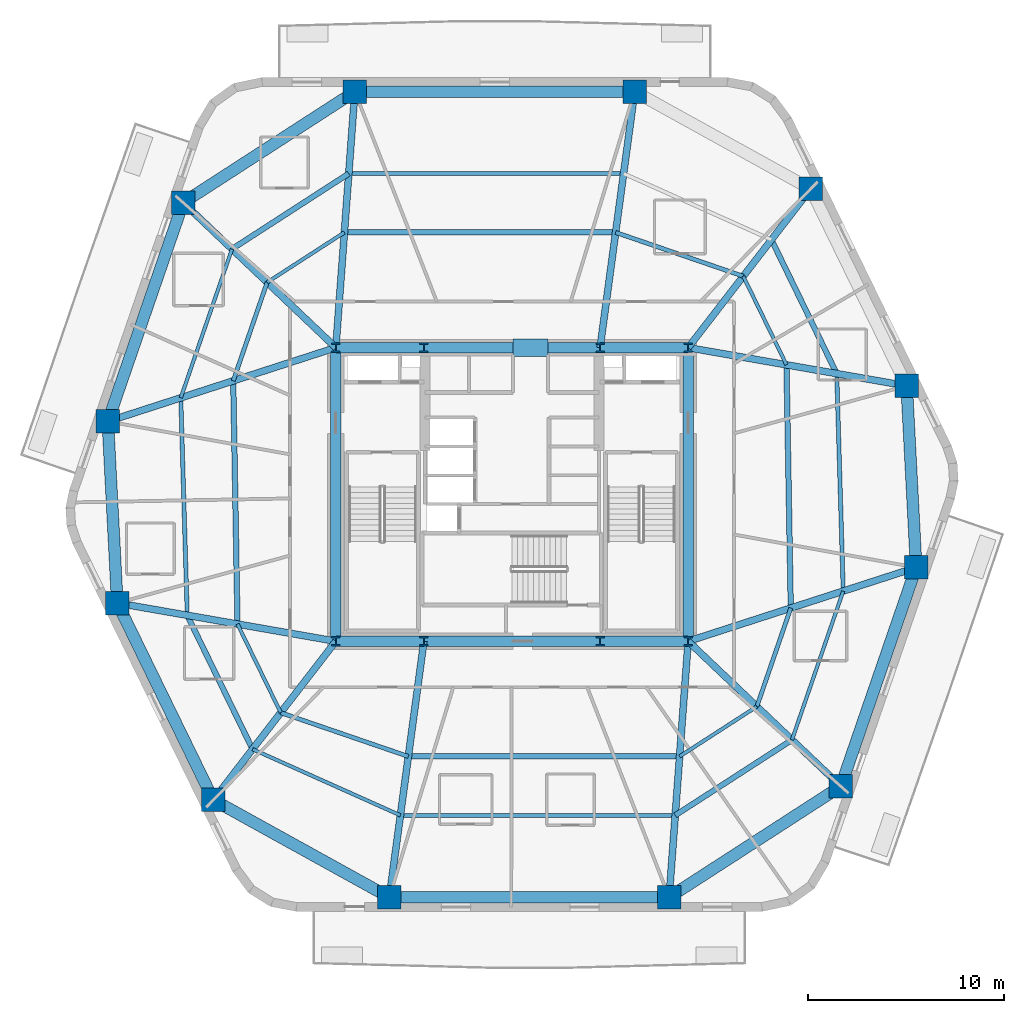
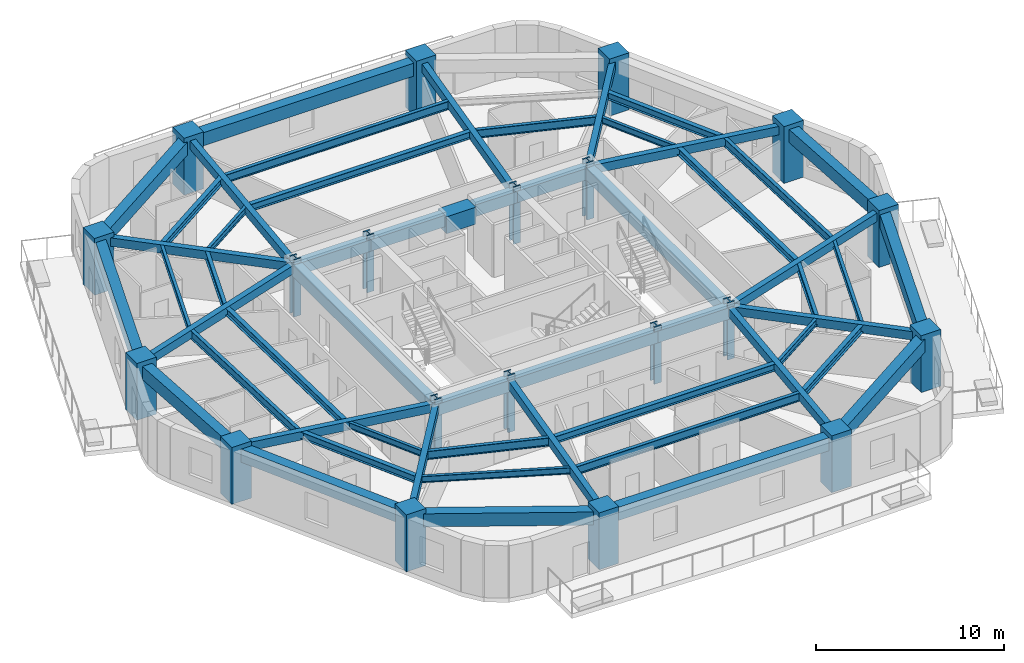
# One storey, part 1 of 8: 54 beams, 20 columns.
"""IFC4 building model written with IfcOpenShell, lengths in metres."""

import ifcopenshell
import ifcopenshell.guid

model = None  # the IFC model being written
_history = None  # IfcOwnerHistory: only IFC2X3 demands one
_inside = {}  # id of a spatial element -> (the spatial element, [elements in it])
_under = {}  # id of a project, library or spatial element -> (it, [spatial elements below it])
_declared = {}  # id of a project -> (the project, [libraries it declares])
_typed = {}  # id of a type object -> (the type object, [elements of that type])
_made_of = {}  # id of a material, layer set ... -> (it, [elements and type objects made of it])


def new_model(schema):
    """Start an empty IFC model of exactly this schema.

    Asked for "IFC4X3", IfcOpenShell would pick the latest addendum, in which some entities
    have other attributes; the version numbers below select the first issue.
    IFC2X3 requires an IfcOwnerHistory on every rooted entity: one is made here for all.
    """
    global model, _history
    if schema == "IFC4X3":
        model = ifcopenshell.file(schema_version=(4, 3, 0, 0))
    else:
        model = ifcopenshell.file(schema=schema)
    _inside.clear()
    _under.clear()
    _declared.clear()
    _typed.clear()
    _made_of.clear()
    _history = None
    if model.schema == "IFC2X3":
        org = make("IfcOrganization", Name="unknown")
        user = make(
            "IfcPersonAndOrganization",
            ThePerson=make("IfcPerson", FamilyName="unknown"),
            TheOrganization=org,
        )
        app = make(
            "IfcApplication",
            ApplicationDeveloper=org,
            Version="unknown",
            ApplicationFullName="unknown",
            ApplicationIdentifier="unknown",
        )
        _history = make(
            "IfcOwnerHistory",
            OwningUser=user,
            OwningApplication=app,
            ChangeAction="ADDED",
            CreationDate=0,
        )
    return model


def make(cls, **values):
    """One entity of the class cls with the attributes given. An attribute that is None is left unset."""
    return model.create_entity(
        cls, **{name: value for name, value in values.items() if value is not None}
    )


def rooted(cls, **values):
    """An entity with a GlobalId (a new one), such as an element, a storey or a relation."""
    return make(cls, GlobalId=ifcopenshell.guid.new(), OwnerHistory=_history, **values)


def si_unit(unit_type, name, prefix=None):
    """IfcSIUnit, for example si_unit("LENGTHUNIT", "METRE", prefix="MILLI")."""
    return make("IfcSIUnit", UnitType=unit_type, Prefix=prefix, Name=name)


def assignment(units):
    """IfcUnitAssignment: the units of a project."""
    return None if units is None else make("IfcUnitAssignment", Units=units)


def point(xyz):
    """IfcCartesianPoint."""
    return None if xyz is None else make("IfcCartesianPoint", Coordinates=xyz)


def direction(xyz):
    """IfcDirection."""
    return None if xyz is None else make("IfcDirection", DirectionRatios=xyz)


def frame(location, z_axis=None, x_axis=None):
    """IfcAxis2Placement3D, a coordinate frame: its origin and axes. An axis left out is left unset."""
    return make(
        "IfcAxis2Placement3D",
        Location=point(location),
        Axis=direction(z_axis),
        RefDirection=direction(x_axis),
    )


def frame_2d(location, x_axis=None):
    """IfcAxis2Placement2D, a coordinate frame in the plane: its origin and x axis."""
    return make(
        "IfcAxis2Placement2D", Location=point(location), RefDirection=direction(x_axis)
    )


def origin():
    """The frame at (0, 0, 0) with its axes left unset."""
    return frame((0.0, 0.0, 0.0))


def origin_2d():
    """The frame at (0, 0) in the plane with its x axis left unset."""
    return frame_2d((0.0, 0.0))


def place(relative_to, where):
    """IfcLocalPlacement: puts the frame where relative to a parent placement (None: the world)."""
    return make(
        "IfcLocalPlacement", PlacementRelTo=relative_to, RelativePlacement=where
    )


def context(
    kind, dimensions, precision=None, world=None, true_north=None, identifier=None
):
    """IfcGeometricRepresentationContext, for example the 3D "Model" context."""
    return make(
        "IfcGeometricRepresentationContext",
        ContextIdentifier=identifier,
        ContextType=kind,
        CoordinateSpaceDimension=dimensions,
        Precision=precision,
        WorldCoordinateSystem=world,
        TrueNorth=true_north,
    )


def subcontext(parent, identifier, kind, view, scale=None):
    """IfcGeometricRepresentationSubContext, for example "Body" below "Model"."""
    return make(
        "IfcGeometricRepresentationSubContext",
        ContextIdentifier=identifier,
        ContextType=kind,
        ParentContext=parent,
        TargetScale=scale,
        TargetView=view,
    )


def project(units=None, contexts=None):
    """IfcProject with its units and contexts."""
    return rooted(
        "IfcProject",
        Name="project",
        RepresentationContexts=contexts,
        UnitsInContext=assignment(units),
    )


def spatial(cls, under=None, at=None, **own):
    """A site, building, storey or space (cls), placed at a placement, below another one or the project."""
    s = rooted(cls, ObjectPlacement=at, **own)
    if under is not None:
        _under.setdefault(under.id(), (under, []))[1].append(s)
    return s


def profile(cls, at=None, kind="AREA", **sizes):
    """A parametric profile (cls). Its sizes go by their IFC names, for example OverallWidth=200.0."""
    return make(cls, ProfileType=kind, Position=at, **sizes)


def rectangle(**sizes):
    """IfcRectangleProfileDef."""
    return profile("IfcRectangleProfileDef", **sizes)


def i_section(**sizes):
    """IfcIShapeProfileDef."""
    return profile("IfcIShapeProfileDef", **sizes)


def extrude(swept, where, along, depth):
    """IfcExtrudedAreaSolid: the profile swept, set in the frame where, extruded along a direction by depth."""
    return make(
        "IfcExtrudedAreaSolid",
        SweptArea=swept,
        Position=where,
        ExtrudedDirection=direction(along),
        Depth=depth,
    )


def shape(context_of_items, identifier, shape_type, items):
    """IfcShapeRepresentation: the items that make up one representation, for example the "Body"."""
    return make(
        "IfcShapeRepresentation",
        ContextOfItems=context_of_items,
        RepresentationIdentifier=identifier,
        RepresentationType=shape_type,
        Items=items,
    )


def material(Name=None, Category=None):
    """IfcMaterial."""
    return make("IfcMaterial", Name=Name, Category=Category)


def material_profile(
    of_material, cross_section, Name=None, Category=None, Priority=None
):
    """IfcMaterialProfile: a cross section and its material."""
    return make(
        "IfcMaterialProfile",
        Name=Name,
        Material=of_material,
        Profile=cross_section,
        Priority=Priority,
        Category=Category,
    )


def profile_set(profiles, Name=None, composite=None):
    """IfcMaterialProfileSet."""
    return make(
        "IfcMaterialProfileSet",
        Name=Name,
        MaterialProfiles=profiles,
        CompositeProfile=composite,
    )


def made_of(thing, what):
    """Note that an element or type object is made of a material, layer set ...; save() writes the relation."""
    if what is not None:
        _made_of.setdefault(what.id(), (what, []))[1].append(thing)
    return thing


def type_object(cls, material=None, **own):
    """A type object (cls), such as IfcWallType, which elements share."""
    return made_of(rooted(cls, **own), material)


def element(
    cls,
    number,
    at=None,
    inside=None,
    cuts=None,
    type_object=None,
    material=None,
    context=None,
    identifier="Body",
    shape_type=None,
    held_by="IfcProductDefinitionShape",
    body=None,
    shapes=None,
    **own,
):
    """One element of the class cls, such as IfcWall. Its Tag is "e" and its number.

    at: its placement. inside: the storey or other place that contains it. cuts: it is an
    opening in that element (IfcRelVoidsElement). A single representation is given by context,
    identifier, shape_type and body (its items); several are given by shapes. held_by: the class
    of the entity that holds the representations. save() writes the other relations.
    """
    e = rooted(cls, Tag="e%d" % number, ObjectPlacement=at, **own)
    if body is not None:
        shapes = [shape(context, identifier, shape_type, body)]
    if shapes is not None:
        e.Representation = make(held_by, Representations=shapes)
    if inside is not None:
        _inside.setdefault(inside.id(), (inside, []))[1].append(e)
    if cuts is not None:
        rooted(
            "IfcRelVoidsElement", RelatingBuildingElement=cuts, RelatedOpeningElement=e
        )
    if type_object is not None:
        _typed.setdefault(type_object.id(), (type_object, []))[1].append(e)
    return made_of(e, material)


def aggregate(whole, parts):
    """IfcRelAggregates: a whole, such as a stair, and the parts it consists of."""
    return rooted("IfcRelAggregates", RelatingObject=whole, RelatedObjects=parts)


def save(model, path):
    """Write the relations noted so far, then the file.

    IfcRelAggregates (storeys below a building ...), IfcRelContainedInSpatialStructure (elements
    in a storey), IfcRelDefinesByType, IfcRelAssociatesMaterial and IfcRelDeclares: one each for
    every whole, place, type object, material and project.
    """
    for whole, parts in _under.values():
        aggregate(whole, parts)
    for where, things in _inside.values():
        rooted(
            "IfcRelContainedInSpatialStructure",
            RelatedElements=things,
            RelatingStructure=where,
        )
    for kind, things in _typed.values():
        rooted("IfcRelDefinesByType", RelatedObjects=things, RelatingType=kind)
    for what, things in _made_of.values():
        rooted("IfcRelAssociatesMaterial", RelatedObjects=things, RelatingMaterial=what)
    for by, libraries in _declared.values():
        rooted("IfcRelDeclares", RelatingContext=by, RelatedDefinitions=libraries)
    model.write(path)


model = new_model("IFC4")

# Units and contexts
model_context = context("Model", 3, precision=1e-05, world=origin(), true_north=direction((0.0, 1.0)))
body_context = subcontext(model_context, "Body", "Model", "MODEL_VIEW")
ifc_project = project(units=[si_unit("LENGTHUNIT", "METRE"), si_unit("AREAUNIT", "SQUARE_METRE"), si_unit("VOLUMEUNIT", "CUBIC_METRE"), si_unit("PLANEANGLEUNIT", "RADIAN"), si_unit("MASSUNIT", "GRAM", prefix="KILO")], contexts=[model_context])

# Site, building, storey
site_placement = place(None, origin())
site = spatial("IfcSite", under=ifc_project, at=site_placement, CompositionType="ELEMENT")
building_placement = place(site_placement, origin())
building = spatial("IfcBuilding", under=site, at=building_placement, Name="Kilnhurst Terrace Hotel", CompositionType="ELEMENT")
storey_placement = place(building_placement, frame((0.0, 0.0, 106.199951171875)))
storey = spatial("IfcBuildingStorey", under=building, at=storey_placement, Name="L25", CompositionType="ELEMENT", Elevation=106.199951171875)

# Columns
ifc_material_1 = material(Name="Concrete C80/95", Category="concrete")
ifc_material_profile_1 = material_profile(ifc_material_1, rectangle(XDim=1.199951171875, YDim=1.199951171875, at=origin_2d()), Name="RC1200X1200")
ifc_profile_set_1 = profile_set([ifc_material_profile_1], Name="Concrete C80/95")
column_type_1 = type_object("IfcColumnType", Name="COL-RC-1200", PredefinedType="COLUMN", material=ifc_profile_set_1)
for number, where, z_axis, x_axis, name in (
    (1, (-6.26806640625, -20.580078125, 0.0), (0.0, 0.0, 1.0), (1.0, 0.0, 0.0), "L25 Structural Column PC-F11"),
    (2, (8.028076171875, -20.580078125, 0.0), (0.0, 0.0, 1.0), (1.0, 0.0, 0.0), "L25 Structural Column PC-F12"),
    (3, (16.800048828125, -14.910888671875, 0.0), (0.0, 0.0, 1.0), (1.0, 0.0, 0.0), "L25 Structural Column PC-F21"),
    (4, (20.64990234375, -3.73095703125, 0.0), (0.0, 0.0, 1.0), (1.0, 0.0, 0.0), "L25 Structural Column PC-F22"),
    (5, (20.1640625, 5.549072265625, 0.0), (0.0, 0.0, 1.0), (1.0, 0.0, 0.0), "L25 Structural Column PC-F31"),
    (6, (15.257080078125, 15.60888671875, 0.0), (0.0, 0.0, 1.0), (1.0, 0.0, 0.0), "L25 Structural Column PC-F32"),
    (7, (6.26806640625, 20.580078125, 0.0), (0.0, 0.0, 1.0), (1.0, 0.0, 0.0), "L25 Structural Column PC-F41"),
    (8, (-8.028076171875, 20.580078125, 0.0), (0.0, 0.0, 1.0), (1.0, 0.0, 0.0), "L25 Structural Column PC-F42"),
    (9, (-16.800048828125, 14.910888671875, 0.0), (0.0, 0.0, 1.0), (1.0, 0.0, 0.0), "L25 Structural Column PC-F51"),
    (10, (-20.64990234375, 3.73095703125, 0.0), (0.0, 0.0, 1.0), (1.0, 0.0, 0.0), "L25 Structural Column PC-F52"),
    (11, (-20.1640625, -5.549072265625, 0.0), (0.0, 0.0, 1.0), (1.0, 0.0, 0.0), "L25 Structural Column PC-F61"),
    (12, (-15.257080078125, -15.60888671875, 0.0), (0.0, 0.0, 1.0), (1.0, 0.0, 0.0), "L25 Structural Column PC-F62"),
):
    element("IfcColumn", number, at=place(storey_placement, frame(where, z_axis=z_axis, x_axis=x_axis)), inside=storey, type_object=column_type_1, Name=name, PredefinedType="COLUMN", context=body_context, shape_type="SweptSolid", body=[
        extrude(rectangle(XDim=1.199951171875, YDim=1.199951171875, at=origin_2d()), origin(), (0.0, 0.0, 1.0), 3.699951171875),
    ])
ifc_material_2 = material(Name="Steel ASTM A992 Grade 50", Category="steel")
ifc_material_profile_2 = material_profile(ifc_material_2, i_section(OverallWidth=0.43212890625, OverallDepth=0.497802734375, WebThickness=0.0556640625, FlangeThickness=0.0888671875, at=origin_2d()), Name="W14X500")
ifc_profile_set_2 = profile_set([ifc_material_profile_2], Name="Steel ASTM A992 Grade 50")
column_type_2 = type_object("IfcColumnType", Name="COL-STL-W14X500", PredefinedType="COLUMN", material=ifc_profile_set_2)
for number, where, z_axis, x_axis, name in (
    (13, (-9.0, -7.5, 0.0), (0.0, 0.0, 1.0), (1.0, 0.0, 0.0), "L25 Structural Column CC-SW"),
    (14, (-4.5, -7.5, 0.0), (0.0, 0.0, 1.0), (1.0, 0.0, 0.0), "L25 Structural Column CC-SC1"),
    (15, (4.5, -7.5, 0.0), (0.0, 0.0, 1.0), (1.0, 0.0, 0.0), "L25 Structural Column CC-SC2"),
    (16, (9.0, -7.5, 0.0), (0.0, 0.0, 1.0), (1.0, 0.0, 0.0), "L25 Structural Column CC-SE"),
    (17, (9.0, 7.5, 0.0), (0.0, 0.0, 1.0), (1.0, 0.0, 0.0), "L25 Structural Column CC-NE"),
    (18, (4.5, 7.5, 0.0), (0.0, 0.0, 1.0), (1.0, 0.0, 0.0), "L25 Structural Column CC-NC2"),
    (19, (-4.5, 7.5, 0.0), (0.0, 0.0, 1.0), (1.0, 0.0, 0.0), "L25 Structural Column CC-NC1"),
    (20, (-9.0, 7.5, 0.0), (0.0, 0.0, 1.0), (1.0, 0.0, 0.0), "L25 Structural Column CC-NW"),
):
    element("IfcColumn", number, at=place(storey_placement, frame(where, z_axis=z_axis, x_axis=x_axis)), inside=storey, type_object=column_type_2, Name=name, PredefinedType="COLUMN", context=body_context, shape_type="SweptSolid", body=[
        extrude(i_section(OverallWidth=0.43212890625, OverallDepth=0.497802734375, WebThickness=0.0556640625, FlangeThickness=0.0888671875, at=origin_2d()), origin(), (0.0, 0.0, 1.0), 3.699951171875),
    ])

# Beams
ifc_material_3 = material(Name="Concrete C50/60", Category="concrete")
ifc_material_profile_3 = material_profile(ifc_material_3, rectangle(XDim=0.35009765625, YDim=0.550048828125, at=origin_2d()), Name="RC350X550")
ifc_profile_set_3 = profile_set([ifc_material_profile_3], Name="Concrete C50/60")
beam_type_1 = type_object("IfcBeamType", Name="BM-RAD-350X550", PredefinedType="BEAM", material=ifc_profile_set_3)
beam_1_placement = place(storey_placement, frame((-4.5, -7.5, 3.125), z_axis=(-0.133954226177, -0.990987520249, 0.0), x_axis=(0.990987520249, -0.133954226177, 0.0)))
element("IfcBeam", 21, at=beam_1_placement, inside=storey, type_object=beam_type_1, Name="L25 Radial Floor Beam 1", PredefinedType="BEAM", context=body_context, shape_type="SweptSolid", body=[
    extrude(rectangle(XDim=0.35009765625, YDim=0.550048828125, at=origin_2d()), origin(), (0.0, 0.0, 1.0), 13.198974609375),
])
beam_2_placement = place(storey_placement, frame((9.0, -7.5, 3.125), z_axis=(-0.074101371747, -0.997250714066, 0.0), x_axis=(0.997250714066, -0.074101371747, 0.0)))
element("IfcBeam", 22, at=beam_2_placement, inside=storey, type_object=beam_type_1, Name="L25 Radial Floor Beam 2", PredefinedType="BEAM", context=body_context, shape_type="SweptSolid", body=[
    extrude(rectangle(XDim=0.35009765625, YDim=0.550048828125, at=origin_2d()), origin(), (0.0, 0.0, 1.0), 13.1162109375),
])
beam_3_placement = place(storey_placement, frame((9.0, -7.5, 3.125), z_axis=(0.724960341586, -0.688790609059, 0.0), x_axis=(0.688790609059, 0.724960341586, 0.0)))
element("IfcBeam", 23, at=beam_3_placement, inside=storey, type_object=beam_type_1, Name="L25 Radial Floor Beam 3", PredefinedType="BEAM", context=body_context, shape_type="SweptSolid", body=[
    extrude(rectangle(XDim=0.35009765625, YDim=0.550048828125, at=origin_2d()), origin(), (0.0, 0.0, 1.0), 10.75927734375),
])
beam_4_placement = place(storey_placement, frame((9.0, -7.5, 3.125), z_axis=(0.951445549065, 0.307817100182, 0.0), x_axis=(-0.307817100182, 0.951445549065, 0.0)))
element("IfcBeam", 24, at=beam_4_placement, inside=storey, type_object=beam_type_1, Name="L25 Radial Floor Beam 4", PredefinedType="BEAM", context=body_context, shape_type="SweptSolid", body=[
    extrude(rectangle(XDim=0.35009765625, YDim=0.550048828125, at=origin_2d()), origin(), (0.0, 0.0, 1.0), 12.244384765625),
])
beam_5_placement = place(storey_placement, frame((9.0, 7.5, 3.125), z_axis=(0.985072137567, -0.172142045384, 0.0), x_axis=(0.172142045384, 0.985072137567, 0.0)))
element("IfcBeam", 25, at=beam_5_placement, inside=storey, type_object=beam_type_1, Name="L25 Radial Floor Beam 5", PredefinedType="BEAM", context=body_context, shape_type="SweptSolid", body=[
    extrude(rectangle(XDim=0.35009765625, YDim=0.550048828125, at=origin_2d()), origin(), (0.0, 0.0, 1.0), 11.333251953125),
])
beam_6_placement = place(storey_placement, frame((9.0, 7.5, 3.125), z_axis=(0.610904638371, 0.79170418896, 0.0), x_axis=(-0.79170418896, 0.610904638371, 0.0)))
element("IfcBeam", 26, at=beam_6_placement, inside=storey, type_object=beam_type_1, Name="L25 Radial Floor Beam 6", PredefinedType="BEAM", context=body_context, shape_type="SweptSolid", body=[
    extrude(rectangle(XDim=0.35009765625, YDim=0.550048828125, at=origin_2d()), origin(), (0.0, 0.0, 1.0), 10.242431640625),
])
beam_7_placement = place(storey_placement, frame((4.5, 7.5, 3.125), z_axis=(0.133954226177, 0.990987520249, 0.0), x_axis=(-0.990987520249, 0.133954226177, 0.0)))
element("IfcBeam", 27, at=beam_7_placement, inside=storey, type_object=beam_type_1, Name="L25 Radial Floor Beam 7", PredefinedType="BEAM", context=body_context, shape_type="SweptSolid", body=[
    extrude(rectangle(XDim=0.35009765625, YDim=0.550048828125, at=origin_2d()), origin(), (0.0, 0.0, 1.0), 13.198974609375),
])
beam_8_placement = place(storey_placement, frame((-9.0, 7.5, 3.125), z_axis=(0.074101371747, 0.997250714066, 0.0), x_axis=(-0.997250714066, 0.074101371747, 0.0)))
element("IfcBeam", 28, at=beam_8_placement, inside=storey, type_object=beam_type_1, Name="L25 Radial Floor Beam 8", PredefinedType="BEAM", context=body_context, shape_type="SweptSolid", body=[
    extrude(rectangle(XDim=0.35009765625, YDim=0.550048828125, at=origin_2d()), origin(), (0.0, 0.0, 1.0), 13.1162109375),
])
beam_9_placement = place(storey_placement, frame((-9.0, 7.5, 3.125), z_axis=(-0.724960341586, 0.688790609059, 0.0), x_axis=(-0.688790609059, -0.724960341586, 0.0)))
element("IfcBeam", 29, at=beam_9_placement, inside=storey, type_object=beam_type_1, Name="L25 Radial Floor Beam 9", PredefinedType="BEAM", context=body_context, shape_type="SweptSolid", body=[
    extrude(rectangle(XDim=0.35009765625, YDim=0.550048828125, at=origin_2d()), origin(), (0.0, 0.0, 1.0), 10.75927734375),
])
beam_10_placement = place(storey_placement, frame((-9.0, 7.5, 3.125), z_axis=(-0.951445549065, -0.307817100182, 0.0), x_axis=(0.307817100182, -0.951445549065, 0.0)))
element("IfcBeam", 30, at=beam_10_placement, inside=storey, type_object=beam_type_1, Name="L25 Radial Floor Beam 10", PredefinedType="BEAM", context=body_context, shape_type="SweptSolid", body=[
    extrude(rectangle(XDim=0.35009765625, YDim=0.550048828125, at=origin_2d()), origin(), (0.0, 0.0, 1.0), 12.244384765625),
])
beam_11_placement = place(storey_placement, frame((-9.0, -7.5, 3.125), z_axis=(-0.985072137567, 0.172142045384, 0.0), x_axis=(-0.172142045384, -0.985072137567, 0.0)))
element("IfcBeam", 31, at=beam_11_placement, inside=storey, type_object=beam_type_1, Name="L25 Radial Floor Beam 11", PredefinedType="BEAM", context=body_context, shape_type="SweptSolid", body=[
    extrude(rectangle(XDim=0.35009765625, YDim=0.550048828125, at=origin_2d()), origin(), (0.0, 0.0, 1.0), 11.333251953125),
])
beam_12_placement = place(storey_placement, frame((-9.0, -7.5, 3.125), z_axis=(-0.610904638371, -0.79170418896, 0.0), x_axis=(0.79170418896, -0.610904638371, 0.0)))
element("IfcBeam", 32, at=beam_12_placement, inside=storey, type_object=beam_type_1, Name="L25 Radial Floor Beam 12", PredefinedType="BEAM", context=body_context, shape_type="SweptSolid", body=[
    extrude(rectangle(XDim=0.35009765625, YDim=0.550048828125, at=origin_2d()), origin(), (0.0, 0.0, 1.0), 10.242431640625),
])
ifc_material_profile_4 = material_profile(ifc_material_3, rectangle(XDim=0.550048828125, YDim=0.75, at=origin_2d()), Name="RC550X750")
ifc_profile_set_4 = profile_set([ifc_material_profile_4], Name="Concrete C50/60")
beam_type_2 = type_object("IfcBeamType", Name="BM-SPN-550X750", PredefinedType="SPANDREL", material=ifc_profile_set_4)
beam_13_placement = place(storey_placement, frame((-9.0, 7.5, 3.025146484375), z_axis=(1.0, 0.0, 0.0), x_axis=(0.0, 1.0, 0.0)))
element("IfcBeam", 33, at=beam_13_placement, inside=storey, type_object=beam_type_2, Name="L25 Core Tie Beam CC-NW to CC-NC1", PredefinedType="SPANDREL", context=body_context, shape_type="SweptSolid", body=[
    extrude(rectangle(XDim=0.550048828125, YDim=0.75, at=origin_2d()), origin(), (0.0, 0.0, 1.0), 4.5),
])
beam_14_placement = place(storey_placement, frame((-4.5, 7.5, 3.025146484375), z_axis=(1.0, 0.0, 0.0), x_axis=(0.0, 1.0, 0.0)))
element("IfcBeam", 34, at=beam_14_placement, inside=storey, type_object=beam_type_2, Name="L25 Core Tie Beam CC-NC1 to CC-NC2", PredefinedType="SPANDREL", context=body_context, shape_type="SweptSolid", body=[
    extrude(rectangle(XDim=0.550048828125, YDim=0.75, at=origin_2d()), origin(), (0.0, 0.0, 1.0), 9.0),
])
for number, where, z_axis, x_axis, name in (
    (35, (4.5, 7.5, 3.025146484375), (1.0, 0.0, 0.0), (0.0, 1.0, 0.0), "L25 Core Tie Beam CC-NC2 to CC-NE"),
    (36, (-9.0, -7.5, 3.025146484375), (1.0, 0.0, 0.0), (0.0, 1.0, 0.0), "L25 Core Tie Beam CC-SW to CC-SC1"),
):
    element("IfcBeam", number, at=place(storey_placement, frame(where, z_axis=z_axis, x_axis=x_axis)), inside=storey, type_object=beam_type_2, Name=name, PredefinedType="SPANDREL", context=body_context, shape_type="SweptSolid", body=[
        extrude(rectangle(XDim=0.550048828125, YDim=0.75, at=origin_2d()), origin(), (0.0, 0.0, 1.0), 4.5),
    ])
beam_15_placement = place(storey_placement, frame((-4.5, -7.5, 3.025146484375), z_axis=(1.0, 0.0, 0.0), x_axis=(0.0, 1.0, 0.0)))
element("IfcBeam", 37, at=beam_15_placement, inside=storey, type_object=beam_type_2, Name="L25 Core Tie Beam CC-SC1 to CC-SC2", PredefinedType="SPANDREL", context=body_context, shape_type="SweptSolid", body=[
    extrude(rectangle(XDim=0.550048828125, YDim=0.75, at=origin_2d()), origin(), (0.0, 0.0, 1.0), 9.0),
])
beam_16_placement = place(storey_placement, frame((4.5, -7.5, 3.025146484375), z_axis=(1.0, 0.0, 0.0), x_axis=(0.0, 1.0, 0.0)))
element("IfcBeam", 38, at=beam_16_placement, inside=storey, type_object=beam_type_2, Name="L25 Core Tie Beam CC-SC2 to CC-SE", PredefinedType="SPANDREL", context=body_context, shape_type="SweptSolid", body=[
    extrude(rectangle(XDim=0.550048828125, YDim=0.75, at=origin_2d()), origin(), (0.0, 0.0, 1.0), 4.5),
])
for number, where, z_axis, x_axis, name in (
    (39, (-9.0, -7.5, 3.025146484375), (0.0, 1.0, 0.0), (-1.0, 0.0, 0.0), "L25 Core Tie Beam CC-SW to CC-NW"),
    (40, (9.0, -7.5, 3.025146484375), (0.0, 1.0, 0.0), (-1.0, 0.0, 0.0), "L25 Core Tie Beam CC-SE to CC-NE"),
):
    element("IfcBeam", number, at=place(storey_placement, frame(where, z_axis=z_axis, x_axis=x_axis)), inside=storey, type_object=beam_type_2, Name=name, PredefinedType="SPANDREL", context=body_context, shape_type="SweptSolid", body=[
        extrude(rectangle(XDim=0.550048828125, YDim=0.75, at=origin_2d()), origin(), (0.0, 0.0, 1.0), 15.0),
    ])
ifc_material_profile_5 = material_profile(ifc_material_3, rectangle(XDim=0.60009765625, YDim=0.85009765625, at=origin_2d()), Name="RC600X850")
ifc_profile_set_5 = profile_set([ifc_material_profile_5], Name="Concrete C50/60")
beam_type_3 = type_object("IfcBeamType", Name="BM-SPN-600X850", PredefinedType="SPANDREL", material=ifc_profile_set_5)
beam_17_placement = place(storey_placement, frame((-6.26806640625, -20.580078125, 2.97509765625), z_axis=(1.0, 0.0, 0.0), x_axis=(0.0, 1.0, 0.0)))
element("IfcBeam", 41, at=beam_17_placement, inside=storey, type_object=beam_type_3, Name="L25 Perimeter Spandrel Beam 1", PredefinedType="SPANDREL", context=body_context, shape_type="SweptSolid", body=[
    extrude(rectangle(XDim=0.60009765625, YDim=0.85009765625, at=origin_2d()), origin(), (0.0, 0.0, 1.0), 14.296142578125),
])
beam_18_placement = place(storey_placement, frame((8.028076171875, -20.580078125, 2.97509765625), z_axis=(0.839866667472, 0.542792760517, 0.0), x_axis=(-0.542792760517, 0.839866667472, 0.0)))
element("IfcBeam", 42, at=beam_18_placement, inside=storey, type_object=beam_type_3, Name="L25 Perimeter Spandrel Beam 2", PredefinedType="SPANDREL", context=body_context, shape_type="SweptSolid", body=[
    extrude(rectangle(XDim=0.60009765625, YDim=0.85009765625, at=origin_2d()), origin(), (0.0, 0.0, 1.0), 10.444580078125),
])
beam_19_placement = place(storey_placement, frame((16.800048828125, -14.910888671875, 2.97509765625), z_axis=(0.325590408593, 0.945510912593, 0.0), x_axis=(-0.945510912593, 0.325590408593, 0.0)))
element("IfcBeam", 43, at=beam_19_placement, inside=storey, type_object=beam_type_3, Name="L25 Perimeter Spandrel Beam 3", PredefinedType="SPANDREL", context=body_context, shape_type="SweptSolid", body=[
    extrude(rectangle(XDim=0.60009765625, YDim=0.85009765625, at=origin_2d()), origin(), (0.0, 0.0, 1.0), 11.82421875),
])
beam_20_placement = place(storey_placement, frame((20.64990234375, -3.73095703125, 2.97509765625), z_axis=(-0.052281666706, 0.998632378469, 0.0), x_axis=(-0.998632378469, -0.052281666706, 0.0)))
element("IfcBeam", 44, at=beam_20_placement, inside=storey, type_object=beam_type_3, Name="L25 Perimeter Spandrel Beam 4", PredefinedType="SPANDREL", context=body_context, shape_type="SweptSolid", body=[
    extrude(rectangle(XDim=0.60009765625, YDim=0.85009765625, at=origin_2d()), origin(), (0.0, 0.0, 1.0), 9.292724609375),
])
beam_21_placement = place(storey_placement, frame((6.26806640625, 20.580078125, 2.97509765625), z_axis=(-1.0, 0.0, 0.0), x_axis=(0.0, -1.0, 0.0)))
element("IfcBeam", 45, at=beam_21_placement, inside=storey, type_object=beam_type_3, Name="L25 Perimeter Spandrel Beam 7", PredefinedType="SPANDREL", context=body_context, shape_type="SweptSolid", body=[
    extrude(rectangle(XDim=0.60009765625, YDim=0.85009765625, at=origin_2d()), origin(), (0.0, 0.0, 1.0), 14.296142578125),
])
beam_22_placement = place(storey_placement, frame((-8.028076171875, 20.580078125, 2.97509765625), z_axis=(-0.839866667472, -0.542792760517, 0.0), x_axis=(0.542792760517, -0.839866667472, 0.0)))
element("IfcBeam", 46, at=beam_22_placement, inside=storey, type_object=beam_type_3, Name="L25 Perimeter Spandrel Beam 8", PredefinedType="SPANDREL", context=body_context, shape_type="SweptSolid", body=[
    extrude(rectangle(XDim=0.60009765625, YDim=0.85009765625, at=origin_2d()), origin(), (0.0, 0.0, 1.0), 10.444580078125),
])
beam_23_placement = place(storey_placement, frame((-16.800048828125, 14.910888671875, 2.97509765625), z_axis=(-0.325590408593, -0.945510912593, 0.0), x_axis=(0.945510912593, -0.325590408593, 0.0)))
element("IfcBeam", 47, at=beam_23_placement, inside=storey, type_object=beam_type_3, Name="L25 Perimeter Spandrel Beam 9", PredefinedType="SPANDREL", context=body_context, shape_type="SweptSolid", body=[
    extrude(rectangle(XDim=0.60009765625, YDim=0.85009765625, at=origin_2d()), origin(), (0.0, 0.0, 1.0), 11.82421875),
])
beam_24_placement = place(storey_placement, frame((-20.64990234375, 3.73095703125, 2.97509765625), z_axis=(0.052281666706, -0.998632378469, 0.0), x_axis=(0.998632378469, 0.052281666706, 0.0)))
element("IfcBeam", 48, at=beam_24_placement, inside=storey, type_object=beam_type_3, Name="L25 Perimeter Spandrel Beam 10", PredefinedType="SPANDREL", context=body_context, shape_type="SweptSolid", body=[
    extrude(rectangle(XDim=0.60009765625, YDim=0.85009765625, at=origin_2d()), origin(), (0.0, 0.0, 1.0), 9.292724609375),
])
beam_25_placement = place(storey_placement, frame((-20.1640625, -5.549072265625, 2.97509765625), z_axis=(0.438406012271, -0.89877704043, 0.0), x_axis=(0.89877704043, 0.438406012271, 0.0)))
element("IfcBeam", 49, at=beam_25_placement, inside=storey, type_object=beam_type_3, Name="L25 Perimeter Spandrel Beam 11", PredefinedType="SPANDREL", context=body_context, shape_type="SweptSolid", body=[
    extrude(rectangle(XDim=0.60009765625, YDim=0.85009765625, at=origin_2d()), origin(), (0.0, 0.0, 1.0), 11.19287109375),
])
beam_26_placement = place(storey_placement, frame((-15.257080078125, -15.60888671875, 2.97509765625), z_axis=(0.875094010429, -0.483952965598, 0.0), x_axis=(0.483952965598, 0.875094010429, 0.0)))
element("IfcBeam", 50, at=beam_26_placement, inside=storey, type_object=beam_type_3, Name="L25 Perimeter Spandrel Beam 12", PredefinedType="SPANDREL", context=body_context, shape_type="SweptSolid", body=[
    extrude(rectangle(XDim=0.60009765625, YDim=0.85009765625, at=origin_2d()), origin(), (0.0, 0.0, 1.0), 10.27197265625),
])
ifc_material_profile_6 = material_profile(ifc_material_2, i_section(OverallWidth=0.180908203125, OverallDepth=0.417236328125, WebThickness=0.010986328125, FlangeThickness=0.018310546875, at=origin_2d()), Name="W16X57")
ifc_profile_set_6 = profile_set([ifc_material_profile_6], Name="Steel ASTM A992 Grade 50")
beam_type_4 = type_object("IfcBeamType", Name="JST-STL-W16X57", PredefinedType="JOIST", material=ifc_profile_set_6)
for number, where, z_axis, x_axis, name in (
    (51, (14.303955078125, -12.53955078125, 3.191162109375), (0.325612620381, 0.945503263584, 0.0), (-0.945503263584, 0.325612620381, 0.0), "L25 Secondary Floor Steel Joist OUT.3"),
    (52, (-14.303955078125, 12.53955078125, 3.191162109375), (-0.325612620381, -0.945503263584, 0.0), (0.945503263584, -0.325612620381, 0.0), "L25 Secondary Floor Steel Joist OUT.9"),
):
    element("IfcBeam", number, at=place(storey_placement, frame(where, z_axis=z_axis, x_axis=x_axis)), inside=storey, type_object=beam_type_4, Name=name, PredefinedType="JOIST", context=body_context, shape_type="SweptSolid", body=[
        extrude(i_section(OverallWidth=0.180908203125, OverallDepth=0.417236328125, WebThickness=0.010986328125, FlangeThickness=0.018310546875, at=origin_2d()), origin(), (0.0, 0.0, 1.0), 8.040771484375),
    ])
beam_27_placement = place(storey_placement, frame((-13.2548828125, -13.01416015625, 3.191162109375), z_axis=(0.912760935806, -0.408494154262, 0.0), x_axis=(0.408494154262, 0.912760935806, 0.0)))
element("IfcBeam", 53, at=beam_27_placement, inside=storey, type_object=beam_type_4, Name="L25 Secondary Floor Steel Joist OUT.12", PredefinedType="JOIST", context=body_context, shape_type="SweptSolid", body=[
    extrude(i_section(OverallWidth=0.180908203125, OverallDepth=0.417236328125, WebThickness=0.010986328125, FlangeThickness=0.018310546875, at=origin_2d()), origin(), (0.0, 0.0, 1.0), 8.274658203125),
])
beam_28_placement = place(storey_placement, frame((8.5625, -13.385986328125, 3.191162109375), z_axis=(0.839884974974, 0.542764432155, 0.0), x_axis=(-0.542764432155, 0.839884974974, 0.0)))
element("IfcBeam", 54, at=beam_28_placement, inside=storey, type_object=beam_type_4, Name="L25 Secondary Floor Steel Joist IN.2", PredefinedType="JOIST", context=body_context, shape_type="SweptSolid", body=[
    extrude(i_section(OverallWidth=0.180908203125, OverallDepth=0.417236328125, WebThickness=0.010986328125, FlangeThickness=0.018310546875, at=origin_2d()), origin(), (0.0, 0.0, 1.0), 4.699951171875),
])
beam_29_placement = place(storey_placement, frame((14.023681640625, 6.6220703125, 3.191162109375), z_axis=(-0.438389251087, 0.898785216017, 0.0), x_axis=(-0.898785216017, -0.438389251087, 0.0)))
element("IfcBeam", 55, at=beam_29_placement, inside=storey, type_object=beam_type_4, Name="L25 Secondary Floor Steel Joist IN.5", PredefinedType="JOIST", context=body_context, shape_type="SweptSolid", body=[
    extrude(i_section(OverallWidth=0.180908203125, OverallDepth=0.417236328125, WebThickness=0.010986328125, FlangeThickness=0.018310546875, at=origin_2d()), origin(), (0.0, 0.0, 1.0), 5.03662109375),
])
beam_30_placement = place(storey_placement, frame((-8.5625, 13.385986328125, 3.191162109375), z_axis=(-0.839884974974, -0.542764432155, 0.0), x_axis=(0.542764432155, -0.839884974974, 0.0)))
element("IfcBeam", 56, at=beam_30_placement, inside=storey, type_object=beam_type_4, Name="L25 Secondary Floor Steel Joist IN.8", PredefinedType="JOIST", context=body_context, shape_type="SweptSolid", body=[
    extrude(i_section(OverallWidth=0.180908203125, OverallDepth=0.417236328125, WebThickness=0.010986328125, FlangeThickness=0.018310546875, at=origin_2d()), origin(), (0.0, 0.0, 1.0), 4.699951171875),
])
beam_31_placement = place(storey_placement, frame((-14.023681640625, -6.6220703125, 3.191162109375), z_axis=(0.438389251087, -0.898785216017, 0.0), x_axis=(0.898785216017, 0.438389251087, 0.0)))
element("IfcBeam", 57, at=beam_31_placement, inside=storey, type_object=beam_type_4, Name="L25 Secondary Floor Steel Joist IN.11", PredefinedType="JOIST", context=body_context, shape_type="SweptSolid", body=[
    extrude(i_section(OverallWidth=0.180908203125, OverallDepth=0.417236328125, WebThickness=0.010986328125, FlangeThickness=0.018310546875, at=origin_2d()), origin(), (0.0, 0.0, 1.0), 5.03662109375),
])
ifc_material_profile_7 = material_profile(ifc_material_2, i_section(OverallWidth=0.279296875, OverallDepth=0.462890625, WebThickness=0.0107421875, FlangeThickness=0.017333984375, at=origin_2d()), Name="W18X76")
ifc_profile_set_7 = profile_set([ifc_material_profile_7], Name="Steel ASTM A992 Grade 50")
beam_type_5 = type_object("IfcBeamType", Name="JST-STL-W18X76", PredefinedType="JOIST", material=ifc_profile_set_7)
beam_32_placement = place(storey_placement, frame((8.339111328125, -16.394287109375, 3.16796875), z_axis=(0.839882675086, 0.542767991034, 0.0), x_axis=(-0.542767991034, 0.839882675086, 0.0)))
element("IfcBeam", 58, at=beam_32_placement, inside=storey, type_object=beam_type_5, Name="L25 Secondary Floor Steel Joist OUT.2", PredefinedType="JOIST", context=body_context, shape_type="SweptSolid", body=[
    extrude(i_section(OverallWidth=0.279296875, OverallDepth=0.462890625, WebThickness=0.0107421875, FlangeThickness=0.017333984375, at=origin_2d()), origin(), (0.0, 0.0, 1.0), 7.10205078125),
])
beam_33_placement = place(storey_placement, frame((16.591552734375, 6.17333984375, 3.16796875), z_axis=(-0.438390137084, 0.898784783865, 0.0), x_axis=(-0.898784783865, -0.438390137084, 0.0)))
element("IfcBeam", 59, at=beam_33_placement, inside=storey, type_object=beam_type_5, Name="L25 Secondary Floor Steel Joist OUT.5", PredefinedType="JOIST", context=body_context, shape_type="SweptSolid", body=[
    extrude(i_section(OverallWidth=0.279296875, OverallDepth=0.462890625, WebThickness=0.0107421875, FlangeThickness=0.017333984375, at=origin_2d()), origin(), (0.0, 0.0, 1.0), 7.611083984375),
])
beam_34_placement = place(storey_placement, frame((-8.339111328125, 16.394287109375, 3.16796875), z_axis=(-0.839882675086, -0.542767991034, 0.0), x_axis=(0.542767991034, -0.839882675086, 0.0)))
element("IfcBeam", 60, at=beam_34_placement, inside=storey, type_object=beam_type_5, Name="L25 Secondary Floor Steel Joist OUT.8", PredefinedType="JOIST", context=body_context, shape_type="SweptSolid", body=[
    extrude(i_section(OverallWidth=0.279296875, OverallDepth=0.462890625, WebThickness=0.0107421875, FlangeThickness=0.017333984375, at=origin_2d()), origin(), (0.0, 0.0, 1.0), 7.10205078125),
])
beam_35_placement = place(storey_placement, frame((-16.591552734375, -6.17333984375, 3.16796875), z_axis=(0.438390137084, -0.898784783865, 0.0), x_axis=(0.898784783865, 0.438390137084, 0.0)))
element("IfcBeam", 61, at=beam_35_placement, inside=storey, type_object=beam_type_5, Name="L25 Secondary Floor Steel Joist OUT.11", PredefinedType="JOIST", context=body_context, shape_type="SweptSolid", body=[
    extrude(i_section(OverallWidth=0.279296875, OverallDepth=0.462890625, WebThickness=0.0107421875, FlangeThickness=0.017333984375, at=origin_2d()), origin(), (0.0, 0.0, 1.0), 7.611083984375),
])
beam_36_placement = place(storey_placement, frame((-5.295654296875, -13.385986328125, 3.16796875), z_axis=(1.0, 0.0, 0.0), x_axis=(0.0, 1.0, 0.0)))
element("IfcBeam", 62, at=beam_36_placement, inside=storey, type_object=beam_type_5, Name="L25 Secondary Floor Steel Joist IN.1", PredefinedType="JOIST", context=body_context, shape_type="SweptSolid", body=[
    extrude(i_section(OverallWidth=0.279296875, OverallDepth=0.462890625, WebThickness=0.0107421875, FlangeThickness=0.017333984375, at=origin_2d()), origin(), (0.0, 0.0, 1.0), 13.858154296875),
])
beam_37_placement = place(storey_placement, frame((14.242431640625, -5.803955078125, 3.16796875), z_axis=(-0.017601453796, 0.999845082412, 0.0), x_axis=(-0.999845082412, -0.017601453796, 0.0)))
element("IfcBeam", 63, at=beam_37_placement, inside=storey, type_object=beam_type_5, Name="L25 Secondary Floor Steel Joist IN.4", PredefinedType="JOIST", context=body_context, shape_type="SweptSolid", body=[
    extrude(i_section(OverallWidth=0.279296875, OverallDepth=0.462890625, WebThickness=0.0107421875, FlangeThickness=0.017333984375, at=origin_2d()), origin(), (0.0, 0.0, 1.0), 12.427978515625),
])
beam_38_placement = place(storey_placement, frame((5.295654296875, 13.385986328125, 3.16796875), z_axis=(-1.0, 0.0, 0.0), x_axis=(0.0, -1.0, 0.0)))
element("IfcBeam", 64, at=beam_38_placement, inside=storey, type_object=beam_type_5, Name="L25 Secondary Floor Steel Joist IN.7", PredefinedType="JOIST", context=body_context, shape_type="SweptSolid", body=[
    extrude(i_section(OverallWidth=0.279296875, OverallDepth=0.462890625, WebThickness=0.0107421875, FlangeThickness=0.017333984375, at=origin_2d()), origin(), (0.0, 0.0, 1.0), 13.858154296875),
])
beam_39_placement = place(storey_placement, frame((-14.242431640625, 5.803955078125, 3.16796875), z_axis=(0.017601453796, -0.999845082412, 0.0), x_axis=(0.999845082412, 0.017601453796, 0.0)))
element("IfcBeam", 65, at=beam_39_placement, inside=storey, type_object=beam_type_5, Name="L25 Secondary Floor Steel Joist IN.10", PredefinedType="JOIST", context=body_context, shape_type="SweptSolid", body=[
    extrude(i_section(OverallWidth=0.279296875, OverallDepth=0.462890625, WebThickness=0.0107421875, FlangeThickness=0.017333984375, at=origin_2d()), origin(), (0.0, 0.0, 1.0), 12.427978515625),
])
ifc_material_profile_8 = material_profile(ifc_material_2, i_section(OverallWidth=0.2138671875, OverallDepth=0.549072265625, WebThickness=0.0146484375, FlangeThickness=0.023681640625, at=origin_2d()), Name="W21X93")
ifc_profile_set_8 = profile_set([ifc_material_profile_8], Name="Steel ASTM A992 Grade 50")
beam_type_6 = type_object("IfcBeamType", Name="JST-STL-W21X93", PredefinedType="JOIST", material=ifc_profile_set_8)
beam_40_placement = place(storey_placement, frame((-5.7021484375, -16.394287109375, 3.125), z_axis=(1.0, 0.0, 0.0), x_axis=(0.0, 1.0, 0.0)))
element("IfcBeam", 66, at=beam_40_placement, inside=storey, type_object=beam_type_6, Name="L25 Secondary Floor Steel Joist OUT.1", PredefinedType="JOIST", context=body_context, shape_type="SweptSolid", body=[
    extrude(i_section(OverallWidth=0.2138671875, OverallDepth=0.549072265625, WebThickness=0.0146484375, FlangeThickness=0.023681640625, at=origin_2d()), origin(), (0.0, 0.0, 1.0), 14.041259765625),
])
beam_41_placement = place(storey_placement, frame((16.922119140625, -4.93701171875, 3.125), z_axis=(-0.029739849895, 0.999557672837, 0.0), x_axis=(-0.999557672837, -0.029739849895, 0.0)))
element("IfcBeam", 67, at=beam_41_placement, inside=storey, type_object=beam_type_6, Name="L25 Secondary Floor Steel Joist OUT.4", PredefinedType="JOIST", context=body_context, shape_type="SweptSolid", body=[
    extrude(i_section(OverallWidth=0.2138671875, OverallDepth=0.549072265625, WebThickness=0.0146484375, FlangeThickness=0.023681640625, at=origin_2d()), origin(), (0.0, 0.0, 1.0), 11.115234375),
])
beam_42_placement = place(storey_placement, frame((5.7021484375, 16.394287109375, 3.125), z_axis=(-1.0, 0.0, 0.0), x_axis=(0.0, -1.0, 0.0)))
element("IfcBeam", 68, at=beam_42_placement, inside=storey, type_object=beam_type_6, Name="L25 Secondary Floor Steel Joist OUT.7", PredefinedType="JOIST", context=body_context, shape_type="SweptSolid", body=[
    extrude(i_section(OverallWidth=0.2138671875, OverallDepth=0.549072265625, WebThickness=0.0146484375, FlangeThickness=0.023681640625, at=origin_2d()), origin(), (0.0, 0.0, 1.0), 14.041259765625),
])
beam_43_placement = place(storey_placement, frame((-16.922119140625, 4.93701171875, 3.125), z_axis=(0.029739849895, -0.999557672837, 0.0), x_axis=(0.999557672837, 0.029739849895, 0.0)))
element("IfcBeam", 69, at=beam_43_placement, inside=storey, type_object=beam_type_6, Name="L25 Secondary Floor Steel Joist OUT.10", PredefinedType="JOIST", context=body_context, shape_type="SweptSolid", body=[
    extrude(i_section(OverallWidth=0.2138671875, OverallDepth=0.549072265625, WebThickness=0.0146484375, FlangeThickness=0.023681640625, at=origin_2d()), origin(), (0.0, 0.0, 1.0), 11.115234375),
])
beam_44_placement = place(storey_placement, frame((12.510009765625, -10.8349609375, 3.125), z_axis=(0.325586238877, 0.945512348441, 0.0), x_axis=(-0.945512348441, 0.325586238877, 0.0)))
element("IfcBeam", 70, at=beam_44_placement, inside=storey, type_object=beam_type_6, Name="L25 Secondary Floor Steel Joist IN.3", PredefinedType="JOIST", context=body_context, shape_type="SweptSolid", body=[
    extrude(i_section(OverallWidth=0.2138671875, OverallDepth=0.549072265625, WebThickness=0.0146484375, FlangeThickness=0.023681640625, at=origin_2d()), origin(), (0.0, 0.0, 1.0), 5.321044921875),
])
beam_45_placement = place(storey_placement, frame((11.815673828125, 11.14892578125, 3.125), z_axis=(-0.945873585837, 0.324535297949, 0.0), x_axis=(-0.324535297949, -0.945873585837, 0.0)))
element("IfcBeam", 71, at=beam_45_placement, inside=storey, type_object=beam_type_6, Name="L25 Secondary Floor Steel Joist IN.6", PredefinedType="JOIST", context=body_context, shape_type="SweptSolid", body=[
    extrude(i_section(OverallWidth=0.2138671875, OverallDepth=0.549072265625, WebThickness=0.0146484375, FlangeThickness=0.023681640625, at=origin_2d()), origin(), (0.0, 0.0, 1.0), 6.89306640625),
])
beam_46_placement = place(storey_placement, frame((-12.510009765625, 10.8349609375, 3.125), z_axis=(-0.325586238877, -0.945512348441, 0.0), x_axis=(0.945512348441, -0.325586238877, 0.0)))
element("IfcBeam", 72, at=beam_46_placement, inside=storey, type_object=beam_type_6, Name="L25 Secondary Floor Steel Joist IN.9", PredefinedType="JOIST", context=body_context, shape_type="SweptSolid", body=[
    extrude(i_section(OverallWidth=0.2138671875, OverallDepth=0.549072265625, WebThickness=0.0146484375, FlangeThickness=0.023681640625, at=origin_2d()), origin(), (0.0, 0.0, 1.0), 5.321044921875),
])
beam_47_placement = place(storey_placement, frame((-11.815673828125, -11.14892578125, 3.125), z_axis=(0.945873585837, -0.324535297949, 0.0), x_axis=(0.324535297949, 0.945873585837, 0.0)))
element("IfcBeam", 73, at=beam_47_placement, inside=storey, type_object=beam_type_6, Name="L25 Secondary Floor Steel Joist IN.12", PredefinedType="JOIST", context=body_context, shape_type="SweptSolid", body=[
    extrude(i_section(OverallWidth=0.2138671875, OverallDepth=0.549072265625, WebThickness=0.0146484375, FlangeThickness=0.023681640625, at=origin_2d()), origin(), (0.0, 0.0, 1.0), 6.89306640625),
])
ifc_material_profile_9 = material_profile(ifc_material_1, rectangle(XDim=0.89990234375, YDim=1.10009765625, at=origin_2d()), Name="RC900X1100")
ifc_profile_set_9 = profile_set([ifc_material_profile_9], Name="Concrete C80/95")
beam_type_7 = type_object("IfcBeamType", Name="LNT-CB-900X1100", PredefinedType="LINTEL", material=ifc_profile_set_9)
beam_48_placement = place(storey_placement, frame((0.050048828125, 7.5, 2.85009765625), z_axis=(1.0, 0.0, 0.0), x_axis=(0.0, 1.0, 0.0)))
element("IfcBeam", 74, at=beam_48_placement, inside=storey, type_object=beam_type_7, Name="L25 North Core Coupling Link Beam", PredefinedType="LINTEL", context=body_context, shape_type="SweptSolid", body=[
    extrude(rectangle(XDim=0.89990234375, YDim=1.10009765625, at=origin_2d()), origin(), (0.0, 0.0, 1.0), 1.800048828125),
])

save(model, "model.ifc")
